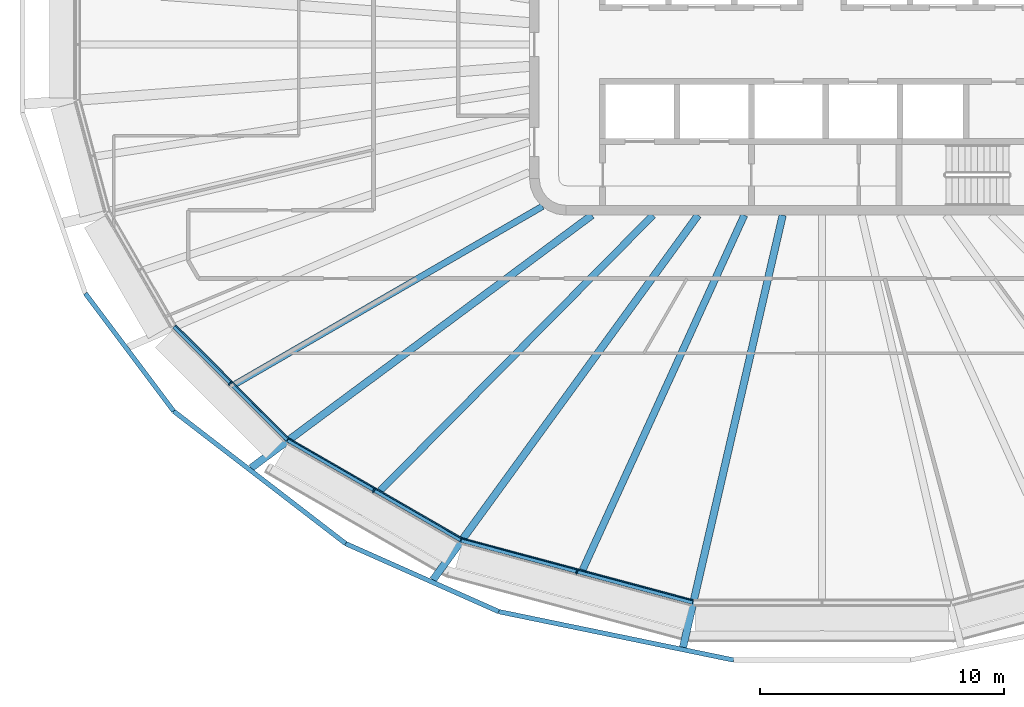
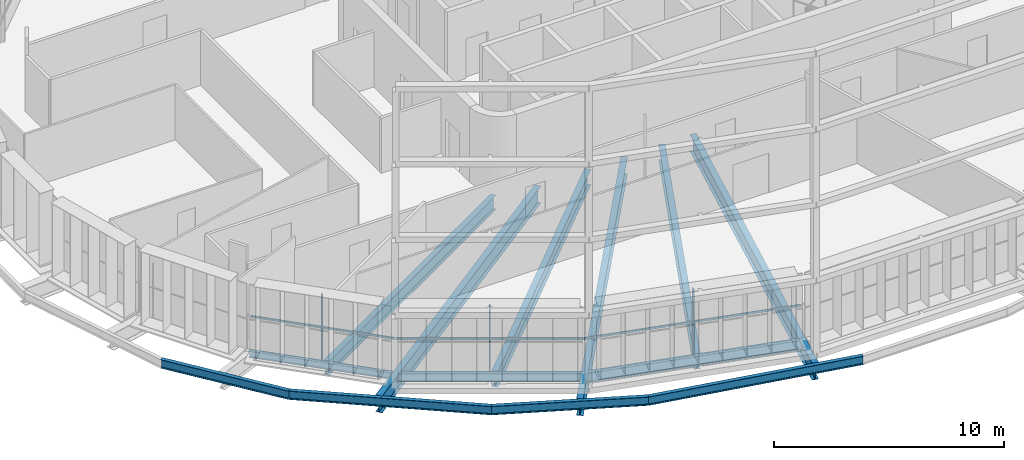
# One storey, part 1 of 20: 13 beams, 6 members, 3 elements without a shape of their own.
"""IFC4 building model written with IfcOpenShell, lengths in metres."""

from ifc_helpers import new_model, si_unit, direction, frame, origin, origin_2d, place, context, subcontext, project, spatial, rectangle, i_section, extrude, material, layer, layer_set, material_profile, profile_set, type_object, element, aggregate, save


model = new_model("IFC4")

# Units and contexts
model_context = context("Model", 3, precision=1e-05, world=origin(), true_north=direction((0.0, 1.0)))
body_context = subcontext(model_context, "Body", "Model", "MODEL_VIEW")
ifc_project = project(units=[si_unit("LENGTHUNIT", "METRE"), si_unit("AREAUNIT", "SQUARE_METRE"), si_unit("VOLUMEUNIT", "CUBIC_METRE"), si_unit("PLANEANGLEUNIT", "RADIAN"), si_unit("MASSUNIT", "GRAM", prefix="KILO")], contexts=[model_context])

# Site, building, storey
site_placement = place(None, origin())
site = spatial("IfcSite", under=ifc_project, at=site_placement, CompositionType="ELEMENT")
building_placement = place(site_placement, origin())
building = spatial("IfcBuilding", under=site, at=building_placement, Name="Sahrelin Media Tower", CompositionType="ELEMENT")
storey_placement = place(building_placement, frame((0.0, 0.0, 209.60009765625)))
storey = spatial("IfcBuildingStorey", under=building, at=storey_placement, Name="L44", CompositionType="ELEMENT", Elevation=209.60009765625)

# Beams
ifc_material_1 = material(Name="Steel S355", Category="steel")
ifc_material_profile_1 = material_profile(ifc_material_1, i_section(OverallWidth=0.17138671875, OverallDepth=0.35498046875, WebThickness=0.00732421875, FlangeThickness=0.011474609375, FilletRadius=0.01025390625, at=origin_2d()), Name="UB 356x171x51")
ifc_profile_set_1 = profile_set([ifc_material_profile_1], Name="Steel S355")
beam_type_1 = type_object("IfcBeamType", Name="Edge beam EB3", PredefinedType="BEAM", material=ifc_profile_set_1)
beam_1_placement = place(storey_placement, frame((-21.93212890625, -16.197509765625, -0.32763671875), z_axis=(-0.707106781187, 0.707106781187, 0.0), x_axis=(-0.707106781187, -0.707106781187, 0.0)))
element("IfcBeam", 1, at=beam_1_placement, inside=storey, type_object=beam_type_1, Name="Edge beam L44-10", PredefinedType="BEAM", context=body_context, shape_type="SweptSolid", body=[
    extrude(i_section(OverallWidth=0.17138671875, OverallDepth=0.35498046875, WebThickness=0.00732421875, FlangeThickness=0.011474609375, FilletRadius=0.01025390625, at=origin_2d()), origin(), (0.0, 0.0, 1.0), 6.556396484375),
])
ifc_material_profile_2 = material_profile(ifc_material_1, i_section(OverallWidth=0.1904296875, OverallDepth=0.45703125, WebThickness=0.009033203125, FlangeThickness=0.014404296875, FilletRadius=0.01025390625, at=origin_2d()), Name="UB 457x191x74")
ifc_profile_set_2 = profile_set([ifc_material_profile_2], Name="Steel S355")
beam_type_2 = type_object("IfcBeamType", Name="Edge beam EB5", PredefinedType="BEAM", material=ifc_profile_set_2)
beam_2_placement = place(storey_placement, frame((-14.819091796875, -20.30859375, -0.378662109375), z_axis=(-0.86602319786, 0.500003820754, 0.0), x_axis=(-0.500003820754, -0.86602319786, 0.0)))
element("IfcBeam", 2, at=beam_2_placement, inside=storey, type_object=beam_type_2, Name="Edge beam L44-09", PredefinedType="BEAM", context=body_context, shape_type="SweptSolid", body=[
    extrude(i_section(OverallWidth=0.1904296875, OverallDepth=0.45703125, WebThickness=0.009033203125, FlangeThickness=0.014404296875, FilletRadius=0.01025390625, at=origin_2d()), origin(), (0.0, 0.0, 1.0), 8.18701171875),
])
ifc_material_profile_3 = material_profile(ifc_material_1, i_section(OverallWidth=0.208740234375, OverallDepth=0.5283203125, WebThickness=0.009521484375, FlangeThickness=0.01318359375, FilletRadius=0.0126953125, at=origin_2d()), Name="UB 533x210x82")
ifc_profile_set_3 = profile_set([ifc_material_profile_3], Name="Steel S355")
beam_type_3 = type_object("IfcBeamType", Name="Edge beam EB6", PredefinedType="BEAM", material=ifc_profile_set_3)
beam_3_placement = place(storey_placement, frame((-5.303955078125, -22.86181640625, -0.414306640625), z_axis=(-0.965931078652, 0.258799442223, 0.0), x_axis=(-0.258799442223, -0.965931078652, 0.0)))
element("IfcBeam", 3, at=beam_3_placement, inside=storey, type_object=beam_type_3, Name="Edge beam L44-08", PredefinedType="BEAM", context=body_context, shape_type="SweptSolid", body=[
    extrude(i_section(OverallWidth=0.208740234375, OverallDepth=0.5283203125, WebThickness=0.009521484375, FlangeThickness=0.01318359375, FilletRadius=0.0126953125, at=origin_2d()), origin(), (0.0, 0.0, 1.0), 9.8232421875),
])

# Curtain wall, member
ifc_material_2 = material(Name="Champagne anodised aluminium 6063-T6", Category="aluminium")
ifc_layer = layer(ifc_material_2, 0.14990234375)
ifc_layer_set = layer_set([ifc_layer], Name="Tower ribbon curtain wall")
curtain_wall_type = type_object("IfcCurtainWallType", Name="Tower ribbon curtain wall", PredefinedType="NOTDEFINED", material=ifc_layer_set)
curtain_wall_1_placement = place(storey_placement, frame((-24.356201171875, -13.985595703125, 0.0), z_axis=(0.0, 0.0, 1.0), x_axis=(1.0, 0.0, 0.0)))
curtain_wall_1 = element("IfcCurtainWall", 4, at=curtain_wall_1_placement, inside=storey, type_object=curtain_wall_type, Name="L44:CW:L44-15", PredefinedType="NOTDEFINED")
ifc_material_profile_4 = material_profile(ifc_material_2, rectangle(XDim=0.06005859375, YDim=0.175048828125, at=origin_2d()), Name="Mullion 60x175")
ifc_profile_set_4 = profile_set([ifc_material_profile_4], Name="Champagne anodised aluminium 6063-T6")
member_type_1 = type_object("IfcMemberType", Name="Mullion 60x175 CW1B", PredefinedType="MULLION", material=ifc_profile_set_4)
member_1_placement = place(storey_placement, frame((-24.280029296875, -13.90966796875, 0.0), z_axis=(0.0, 0.0, 1.0), x_axis=(0.707106781187, -0.707106781187, 0.0)))
member_1 = element("IfcMember", 5, at=member_1_placement, type_object=member_type_1, Name="L44:CWM:L44-15", PredefinedType="MULLION", context=body_context, shape_type="SweptSolid", body=[
    extrude(rectangle(XDim=0.06005859375, YDim=0.175048828125, at=origin_2d()), origin(), (0.0, 0.0, 1.0), 3.448486328125),
])

curtain_wall_2_placement = place(storey_placement, frame((-18.439208984375, -18.3916015625, 0.0), z_axis=(0.0, 0.0, 1.0), x_axis=(1.0, 0.0, 0.0)))
curtain_wall_2 = element("IfcCurtainWall", 6, at=curtain_wall_2_placement, inside=storey, type_object=curtain_wall_type, Name="L44:CW:L44-16", PredefinedType="NOTDEFINED")
member_2_placement = place(storey_placement, frame((-18.385498046875, -18.298583984375, 0.0), z_axis=(0.0, 0.0, 1.0), x_axis=(0.86602365845, -0.500003022996, 0.0)))
member_2 = element("IfcMember", 7, at=member_2_placement, type_object=member_type_1, Name="L44:CWM:L44-16", PredefinedType="MULLION", context=body_context, shape_type="SweptSolid", body=[
    extrude(rectangle(XDim=0.06005859375, YDim=0.175048828125, at=origin_2d()), origin(), (0.0, 0.0, 1.0), 3.448486328125),
])

curtain_wall_3_placement = place(storey_placement, frame((-10.087158203125, -21.735595703125, 0.0), z_axis=(0.0, 0.0, 1.0), x_axis=(1.0, 0.0, 0.0)))
curtain_wall_3 = element("IfcCurtainWall", 8, at=curtain_wall_3_placement, inside=storey, type_object=curtain_wall_type, Name="L44:CW:L44-17", PredefinedType="NOTDEFINED")
member_3_placement = place(storey_placement, frame((-10.05908203125, -21.6318359375, 0.0), z_axis=(0.0, 0.0, 1.0), x_axis=(0.965927633163, -0.258812301662, 0.0)))
member_3 = element("IfcMember", 9, at=member_3_placement, type_object=member_type_1, Name="L44:CWM:L44-17", PredefinedType="MULLION", context=body_context, shape_type="SweptSolid", body=[
    extrude(rectangle(XDim=0.06005859375, YDim=0.175048828125, at=origin_2d()), origin(), (0.0, 0.0, 1.0), 3.448486328125),
])

# Beams
ifc_material_profile_5 = material_profile(ifc_material_1, i_section(OverallWidth=0.30322265625, OverallDepth=0.903076171875, WebThickness=0.01513671875, FlangeThickness=0.020263671875, FilletRadius=0.01904296875, at=origin_2d()), Name="UB 914x305x201")
ifc_profile_set_5 = profile_set([ifc_material_profile_5], Name="Steel S355")
beam_type_4 = type_object("IfcBeamType", Name="Radial primary beam PB11", PredefinedType="BEAM", material=ifc_profile_set_5)
beam_4_placement = place(storey_placement, frame((-9.437744140625, -7.0, -0.6015625), z_axis=(-0.803188973655, -0.595724326009, 0.0), x_axis=(0.595724326009, -0.803188973655, 0.0)))
element("IfcBeam", 10, at=beam_4_placement, inside=storey, type_object=beam_type_4, Name="Radial beam L44-16", PredefinedType="BEAM", context=body_context, shape_type="SweptSolid", body=[
    extrude(i_section(OverallWidth=0.30322265625, OverallDepth=0.903076171875, WebThickness=0.01513671875, FlangeThickness=0.020263671875, FilletRadius=0.01904296875, at=origin_2d()), origin(), (0.0, 0.0, 1.0), 17.40234375),
])
beam_5_placement = place(storey_placement, frame((-5.086669921875, -7.0, -0.6015625), z_axis=(-0.587849769231, -0.808970116145, 0.0), x_axis=(0.808970116145, -0.587849769231, 0.0)))
element("IfcBeam", 11, at=beam_5_placement, inside=storey, type_object=beam_type_4, Name="Radial beam L44-17", PredefinedType="BEAM", context=body_context, shape_type="SweptSolid", body=[
    extrude(i_section(OverallWidth=0.30322265625, OverallDepth=0.903076171875, WebThickness=0.01513671875, FlangeThickness=0.020263671875, FilletRadius=0.01904296875, at=origin_2d()), origin(), (0.0, 0.0, 1.0), 18.490478515625),
])
beam_6_placement = place(storey_placement, frame((-1.614990234375, -7.0, -0.6015625), z_axis=(-0.224784995262, -0.974408387641, 0.0), x_axis=(0.974408387641, -0.224784995262, 0.0)))
element("IfcBeam", 12, at=beam_6_placement, inside=storey, type_object=beam_type_4, Name="Radial beam L44-18", PredefinedType="BEAM", context=body_context, shape_type="SweptSolid", body=[
    extrude(i_section(OverallWidth=0.30322265625, OverallDepth=0.903076171875, WebThickness=0.01513671875, FlangeThickness=0.020263671875, FilletRadius=0.01904296875, at=origin_2d()), origin(), (0.0, 0.0, 1.0), 18.186767578125),
])
ifc_material_profile_6 = material_profile(ifc_material_1, i_section(OverallWidth=0.291748046875, OverallDepth=0.8349609375, WebThickness=0.013916015625, FlangeThickness=0.018798828125, FilletRadius=0.017822265625, at=origin_2d()), Name="UB 838x292x176")
ifc_profile_set_6 = profile_set([ifc_material_profile_6], Name="Steel S355")
beam_type_5 = type_object("IfcBeamType", Name="Radial secondary beam SB10", PredefinedType="BEAM", material=ifc_profile_set_6)
beam_7_placement = place(storey_placement, frame((-6.931884765625, -7.0, -0.567626953125), z_axis=(-0.703642558186, -0.710554114976, 0.0), x_axis=(0.710554114976, -0.703642558186, 0.0)))
element("IfcBeam", 13, at=beam_7_placement, inside=storey, type_object=beam_type_5, Name="Secondary beam L44-16", PredefinedType="BEAM", context=body_context, shape_type="SweptSolid", body=[
    extrude(i_section(OverallWidth=0.291748046875, OverallDepth=0.8349609375, WebThickness=0.013916015625, FlangeThickness=0.018798828125, FilletRadius=0.017822265625, at=origin_2d()), origin(), (0.0, 0.0, 1.0), 15.8955078125),
])
beam_8_placement = place(storey_placement, frame((-3.189697265625, -7.0, -0.567626953125), z_axis=(-0.414662432786, -0.909975311113, 0.0), x_axis=(0.909975311113, -0.414662432786, 0.0)))
element("IfcBeam", 14, at=beam_8_placement, inside=storey, type_object=beam_type_5, Name="Secondary beam L44-17", PredefinedType="BEAM", context=body_context, shape_type="SweptSolid", body=[
    extrude(i_section(OverallWidth=0.291748046875, OverallDepth=0.8349609375, WebThickness=0.013916015625, FlangeThickness=0.018798828125, FilletRadius=0.017822265625, at=origin_2d()), origin(), (0.0, 0.0, 1.0), 15.9833984375),
])
ifc_material_profile_7 = material_profile(ifc_material_1, i_section(OverallWidth=0.26513671875, OverallDepth=0.75390625, WebThickness=0.0126953125, FlangeThickness=0.017578125, FilletRadius=0.0166015625, at=origin_2d()), Name="UB 762x267x147")
ifc_profile_set_7 = profile_set([ifc_material_profile_7], Name="Steel S355")
beam_type_6 = type_object("IfcBeamType", Name="Radial secondary beam SB9", PredefinedType="BEAM", material=ifc_profile_set_7)
beam_9_placement = place(storey_placement, frame((-11.46337890625, -6.63525390625, -0.527099609375), z_axis=(-0.865468345638, -0.500963614146, 0.0), x_axis=(0.500963614146, -0.865468345638, 0.0)))
element("IfcBeam", 15, at=beam_9_placement, inside=storey, type_object=beam_type_6, Name="Secondary beam L44-15", PredefinedType="BEAM", context=body_context, shape_type="SweptSolid", body=[
    extrude(i_section(OverallWidth=0.26513671875, OverallDepth=0.75390625, WebThickness=0.0126953125, FlangeThickness=0.017578125, FilletRadius=0.0166015625, at=origin_2d()), origin(), (0.0, 0.0, 1.0), 14.570556640625),
])
ifc_material_profile_8 = material_profile(ifc_material_1, i_section(OverallWidth=0.1904296875, OverallDepth=0.45703125, WebThickness=0.009033203125, FlangeThickness=0.014404296875, FilletRadius=0.01025390625, at=origin_2d()), Name="UB 457x191x74")
ifc_profile_set_8 = profile_set([ifc_material_profile_8], Name="Steel S355")
beam_type_7 = type_object("IfcBeamType", Name="Tie chord TC5", PredefinedType="BEAM", material=ifc_profile_set_8)
beam_10_placement = place(storey_placement, frame((-30.21923828125, -10.207763671875, -0.378662109375), z_axis=(0.600045270222, -0.799966045332, 0.0), x_axis=(0.799966045332, 0.600045270222, 0.0)))
element("IfcBeam", 16, at=beam_10_placement, inside=storey, type_object=beam_type_7, Name="Tie chord L44-14", PredefinedType="BEAM", context=body_context, shape_type="SweptSolid", body=[
    extrude(i_section(OverallWidth=0.1904296875, OverallDepth=0.45703125, WebThickness=0.009033203125, FlangeThickness=0.014404296875, FilletRadius=0.01025390625, at=origin_2d()), origin(), (0.0, 0.0, 1.0), 6.0400390625),
])
beam_11_placement = place(storey_placement, frame((-26.594970703125, -15.03955078125, -0.378662109375), z_axis=(0.792451681615, -0.609934695116, 0.0), x_axis=(0.609934695116, 0.792451681615, 0.0)))
element("IfcBeam", 17, at=beam_11_placement, inside=storey, type_object=beam_type_7, Name="Tie chord L44-15", PredefinedType="BEAM", context=body_context, shape_type="SweptSolid", body=[
    extrude(i_section(OverallWidth=0.1904296875, OverallDepth=0.45703125, WebThickness=0.009033203125, FlangeThickness=0.014404296875, FilletRadius=0.01025390625, at=origin_2d()), origin(), (0.0, 0.0, 1.0), 8.9033203125),
])
beam_12_placement = place(storey_placement, frame((-19.53955078125, -20.469970703125, -0.378662109375), z_axis=(0.913837926838, -0.406079109869, 0.0), x_axis=(0.406079109869, 0.913837926838, 0.0)))
element("IfcBeam", 18, at=beam_12_placement, inside=storey, type_object=beam_type_7, Name="Tie chord L44-16", PredefinedType="BEAM", context=body_context, shape_type="SweptSolid", body=[
    extrude(i_section(OverallWidth=0.1904296875, OverallDepth=0.45703125, WebThickness=0.009033203125, FlangeThickness=0.014404296875, FilletRadius=0.01025390625, at=origin_2d()), origin(), (0.0, 0.0, 1.0), 6.869384765625),
])
beam_13_placement = place(storey_placement, frame((-13.261962890625, -23.259521484375, -0.378662109375), z_axis=(0.979384484627, -0.202005027836, 0.0), x_axis=(0.202005027836, 0.979384484627, 0.0)))
element("IfcBeam", 19, at=beam_13_placement, inside=storey, type_object=beam_type_7, Name="Tie chord L44-17", PredefinedType="BEAM", context=body_context, shape_type="SweptSolid", body=[
    extrude(i_section(OverallWidth=0.1904296875, OverallDepth=0.45703125, WebThickness=0.009033203125, FlangeThickness=0.014404296875, FilletRadius=0.01025390625, at=origin_2d()), origin(), (0.0, 0.0, 1.0), 9.84033203125),
])

# Member
ifc_material_profile_9 = material_profile(ifc_material_2, rectangle(XDim=0.050048828125, YDim=0.110107421875, at=origin_2d()), Name="Transom 50x110")
ifc_profile_set_9 = profile_set([ifc_material_profile_9], Name="Champagne anodised aluminium 6063-T6")
member_type_2 = type_object("IfcMemberType", Name="Transom 50x110 CW1B", PredefinedType="USERDEFINED", material=ifc_profile_set_9)
member_4_placement = place(storey_placement, frame((-26.50732421875, -11.523193359375, 1.599853515625), z_axis=(0.707088071936, -0.707125489942, 0.0), x_axis=(0.707125489942, 0.707088071936, 0.0)))
member_4 = element("IfcMember", 20, at=member_4_placement, type_object=member_type_2, Name="L44:CWT:L44-15", ObjectType="TRANSOM", PredefinedType="USERDEFINED", context=body_context, shape_type="SweptSolid", body=[
    extrude(rectangle(XDim=0.050048828125, YDim=0.110107421875, at=origin_2d()), origin(), (0.0, 0.0, 1.0), 6.524658203125),
])

aggregate(curtain_wall_1, [member_1, member_4])

member_5_placement = place(storey_placement, frame((-21.860595703125, -16.162353515625, 1.599853515625), z_axis=(0.866035038465, -0.499983311872, 0.0), x_axis=(0.499983311872, 0.866035038465, 0.0)))
member_5 = element("IfcMember", 21, at=member_5_placement, type_object=member_type_2, Name="L44:CWT:L44-16", ObjectType="TRANSOM", PredefinedType="USERDEFINED", context=body_context, shape_type="SweptSolid", body=[
    extrude(rectangle(XDim=0.050048828125, YDim=0.110107421875, at=origin_2d()), origin(), (0.0, 0.0, 1.0), 8.155517578125),
])

aggregate(curtain_wall_2, [member_2, member_5])

member_6_placement = place(storey_placement, frame((-14.75927734375, -20.256103515625, 1.599853515625), z_axis=(0.965929688703, -0.258804629946, 0.0), x_axis=(0.258804629946, 0.965929688703, 0.0)))
member_6 = element("IfcMember", 22, at=member_6_placement, type_object=member_type_2, Name="L44:CWT:L44-17", ObjectType="TRANSOM", PredefinedType="USERDEFINED", context=body_context, shape_type="SweptSolid", body=[
    extrude(rectangle(XDim=0.050048828125, YDim=0.110107421875, at=origin_2d()), origin(), (0.0, 0.0, 1.0), 9.791748046875),
])

aggregate(curtain_wall_3, [member_3, member_6])

save(model, "model.ifc")
